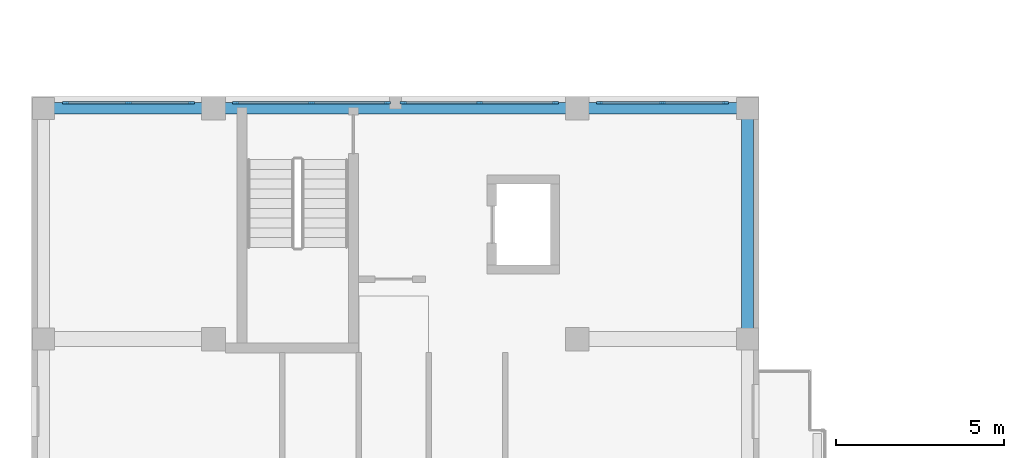
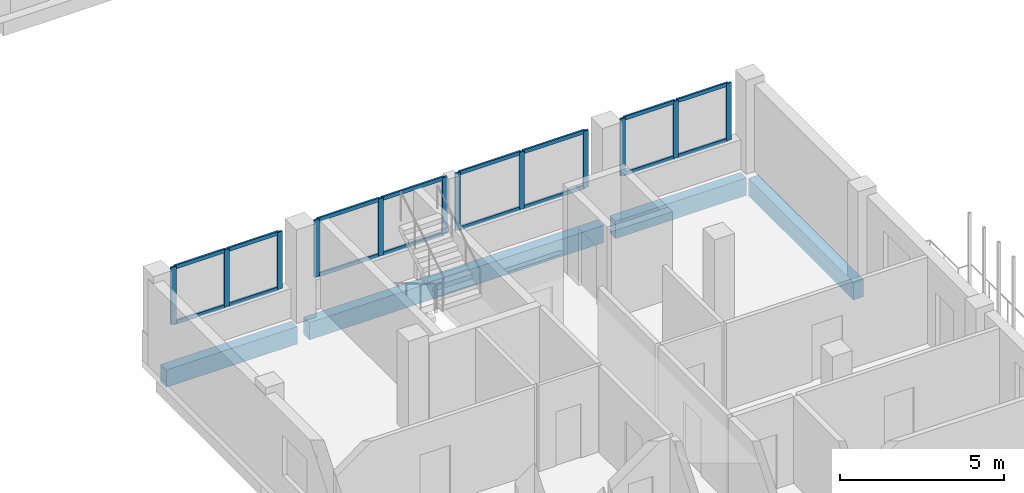
# One storey, part 11 of 73: 28 members, 4 beams, 4 elements without a shape of their own.
"""IFC4 building model written with IfcOpenShell, lengths in metres."""

from ifc_helpers import new_model, si_unit, derived_unit, direction, frame, origin, origin_2d, place, context, subcontext, project, spatial, rectangle, extrude, material, layer, layer_set, material_profile, profile_set, type_object, element, aggregate, save


model = new_model("IFC4")

# Units and contexts
model_context = context("Model", 3, precision=1e-05, world=origin(), true_north=direction((0.0, 1.0)))
body_context = subcontext(model_context, "Body", "Model", "MODEL_VIEW")
ifc_project = project(units=[si_unit("LENGTHUNIT", "METRE"), si_unit("AREAUNIT", "SQUARE_METRE"), si_unit("VOLUMEUNIT", "CUBIC_METRE"), si_unit("PLANEANGLEUNIT", "RADIAN"), si_unit("MASSUNIT", "GRAM", prefix="KILO"), derived_unit("THERMALTRANSMITTANCEUNIT", [(si_unit("MASSUNIT", "GRAM", prefix="KILO"), 1), (si_unit("TIMEUNIT", "SECOND"), -3), (si_unit("THERMODYNAMICTEMPERATUREUNIT", "KELVIN"), -1)])], contexts=[model_context])

# Site, building, storey
site_placement = place(None, origin())
site = spatial("IfcSite", under=ifc_project, at=site_placement, CompositionType="ELEMENT")
building_placement = place(site_placement, origin())
building = spatial("IfcBuilding", under=site, at=building_placement, Name="Ochrekiln Boulevard Commons", CompositionType="ELEMENT")
storey_placement = place(building_placement, frame((0.0, 0.0, 8.574951171875)))
storey = spatial("IfcBuildingStorey", under=building, at=storey_placement, Name="L02", CompositionType="ELEMENT", Elevation=8.574951171875)

# Curtain wall, members
ifc_material_1 = material(Name="Bronze-anodized extruded aluminium 6063-T6", Category="aluminium")
ifc_layer = layer(ifc_material_1, 0.172119140625)
ifc_layer_set = layer_set([ifc_layer], Name="Bronze-anodized extruded aluminium 6063-T6")
curtain_wall_type = type_object("IfcCurtainWallType", Name="CW-GABLE-A", PredefinedType="USERDEFINED", material=ifc_layer_set)
curtain_wall_1_placement = place(storey_placement, origin())
curtain_wall_1 = element("IfcCurtainWall", 1, at=curtain_wall_1_placement, inside=storey, type_object=curtain_wall_type, Name="Block D L02 Courtyard Glazed Gable Curtain Wall 1", ObjectType="GLAZED CURTAIN WALL", PredefinedType="USERDEFINED")
ifc_material_profile_1 = material_profile(ifc_material_1, rectangle(XDim=0.06494140625, YDim=0.179931640625, at=origin_2d()), Name="ALU-MUL-65x180")
ifc_profile_set_1 = profile_set([ifc_material_profile_1], Name="Bronze-anodized extruded aluminium 6063-T6")
member_type_1 = type_object("IfcMemberType", Name="CWM-65x180", PredefinedType="MULLION", material=ifc_profile_set_1)
member_1_placement = place(storey_placement, frame((1.00244140625, 50.217529296875, 1.110107421875), z_axis=(0.0, 0.0, 1.0), x_axis=(0.0, 1.0, 0.0)))
member_1 = element("IfcMember", 2, at=member_1_placement, type_object=member_type_1, Name="CW-01 mullion 1", PredefinedType="MULLION", context=body_context, shape_type="SweptSolid", body=[
    extrude(rectangle(XDim=0.06494140625, YDim=0.179931640625, at=origin_2d()), origin(), (0.0, 0.0, 1.0), 2.1298828125),
])
member_2_placement = place(storey_placement, frame((2.875, 50.217529296875, 1.110107421875), z_axis=(0.0, 0.0, 1.0), x_axis=(0.0, 1.0, 0.0)))
member_2 = element("IfcMember", 3, at=member_2_placement, type_object=member_type_1, Name="CW-01 mullion 2", PredefinedType="MULLION", context=body_context, shape_type="SweptSolid", body=[
    extrude(rectangle(XDim=0.06494140625, YDim=0.179931640625, at=origin_2d()), origin(), (0.0, 0.0, 1.0), 2.1298828125),
])
member_3_placement = place(storey_placement, frame((4.74755859375, 50.217529296875, 1.110107421875), z_axis=(0.0, 0.0, 1.0), x_axis=(0.0, 1.0, 0.0)))
member_3 = element("IfcMember", 4, at=member_3_placement, type_object=member_type_1, Name="CW-01 mullion 3", PredefinedType="MULLION", context=body_context, shape_type="SweptSolid", body=[
    extrude(rectangle(XDim=0.06494140625, YDim=0.179931640625, at=origin_2d()), origin(), (0.0, 0.0, 1.0), 2.1298828125),
])

curtain_wall_2_placement = place(storey_placement, origin())
curtain_wall_2 = element("IfcCurtainWall", 5, at=curtain_wall_2_placement, inside=storey, type_object=curtain_wall_type, Name="Block D L02 Courtyard Glazed Gable Curtain Wall 2", ObjectType="GLAZED CURTAIN WALL", PredefinedType="USERDEFINED")
member_4_placement = place(storey_placement, frame((6.052490234375, 50.217529296875, 1.110107421875), z_axis=(0.0, 0.0, 1.0), x_axis=(0.0, 1.0, 0.0)))
member_4 = element("IfcMember", 6, at=member_4_placement, type_object=member_type_1, Name="CW-01 mullion 1", PredefinedType="MULLION", context=body_context, shape_type="SweptSolid", body=[
    extrude(rectangle(XDim=0.06494140625, YDim=0.179931640625, at=origin_2d()), origin(), (0.0, 0.0, 1.0), 2.1298828125),
])
member_5_placement = place(storey_placement, frame((8.31005859375, 50.217529296875, 1.110107421875), z_axis=(0.0, 0.0, 1.0), x_axis=(0.0, 1.0, 0.0)))
member_5 = element("IfcMember", 7, at=member_5_placement, type_object=member_type_1, Name="CW-01 mullion 2", PredefinedType="MULLION", context=body_context, shape_type="SweptSolid", body=[
    extrude(rectangle(XDim=0.06494140625, YDim=0.179931640625, at=origin_2d()), origin(), (0.0, 0.0, 1.0), 2.1298828125),
])
member_6_placement = place(storey_placement, frame((10.5673828125, 50.217529296875, 1.110107421875), z_axis=(0.0, 0.0, 1.0), x_axis=(0.0, 1.0, 0.0)))
member_6 = element("IfcMember", 8, at=member_6_placement, type_object=member_type_1, Name="CW-01 mullion 3", PredefinedType="MULLION", context=body_context, shape_type="SweptSolid", body=[
    extrude(rectangle(XDim=0.06494140625, YDim=0.179931640625, at=origin_2d()), origin(), (0.0, 0.0, 1.0), 2.1298828125),
])

curtain_wall_3_placement = place(storey_placement, origin())
curtain_wall_3 = element("IfcCurtainWall", 9, at=curtain_wall_3_placement, inside=storey, type_object=curtain_wall_type, Name="Block D L02 Courtyard Glazed Gable Curtain Wall 3", ObjectType="GLAZED CURTAIN WALL", PredefinedType="USERDEFINED")
member_7_placement = place(storey_placement, frame((11.032470703125, 50.217529296875, 1.110107421875), z_axis=(0.0, 0.0, 1.0), x_axis=(0.0, 1.0, 0.0)))
member_7 = element("IfcMember", 10, at=member_7_placement, type_object=member_type_1, Name="CW-01 mullion 1", PredefinedType="MULLION", context=body_context, shape_type="SweptSolid", body=[
    extrude(rectangle(XDim=0.06494140625, YDim=0.179931640625, at=origin_2d()), origin(), (0.0, 0.0, 1.0), 2.1298828125),
])
member_8_placement = place(storey_placement, frame((13.2900390625, 50.217529296875, 1.110107421875), z_axis=(0.0, 0.0, 1.0), x_axis=(0.0, 1.0, 0.0)))
member_8 = element("IfcMember", 11, at=member_8_placement, type_object=member_type_1, Name="CW-01 mullion 2", PredefinedType="MULLION", context=body_context, shape_type="SweptSolid", body=[
    extrude(rectangle(XDim=0.06494140625, YDim=0.179931640625, at=origin_2d()), origin(), (0.0, 0.0, 1.0), 2.1298828125),
])
member_9_placement = place(storey_placement, frame((15.547607421875, 50.217529296875, 1.110107421875), z_axis=(0.0, 0.0, 1.0), x_axis=(0.0, 1.0, 0.0)))
member_9 = element("IfcMember", 12, at=member_9_placement, type_object=member_type_1, Name="CW-01 mullion 3", PredefinedType="MULLION", context=body_context, shape_type="SweptSolid", body=[
    extrude(rectangle(XDim=0.06494140625, YDim=0.179931640625, at=origin_2d()), origin(), (0.0, 0.0, 1.0), 2.1298828125),
])

curtain_wall_4_placement = place(storey_placement, origin())
curtain_wall_4 = element("IfcCurtainWall", 13, at=curtain_wall_4_placement, inside=storey, type_object=curtain_wall_type, Name="Block D L02 Courtyard Glazed Gable Curtain Wall 4", ObjectType="GLAZED CURTAIN WALL", PredefinedType="USERDEFINED")
member_10_placement = place(storey_placement, frame((16.8525390625, 50.217529296875, 1.110107421875), z_axis=(0.0, 0.0, 1.0), x_axis=(0.0, 1.0, 0.0)))
member_10 = element("IfcMember", 14, at=member_10_placement, type_object=member_type_1, Name="CW-01 mullion 1", PredefinedType="MULLION", context=body_context, shape_type="SweptSolid", body=[
    extrude(rectangle(XDim=0.06494140625, YDim=0.179931640625, at=origin_2d()), origin(), (0.0, 0.0, 1.0), 2.1298828125),
])
member_11_placement = place(storey_placement, frame((18.72509765625, 50.217529296875, 1.110107421875), z_axis=(0.0, 0.0, 1.0), x_axis=(0.0, 1.0, 0.0)))
member_11 = element("IfcMember", 15, at=member_11_placement, type_object=member_type_1, Name="CW-01 mullion 2", PredefinedType="MULLION", context=body_context, shape_type="SweptSolid", body=[
    extrude(rectangle(XDim=0.06494140625, YDim=0.179931640625, at=origin_2d()), origin(), (0.0, 0.0, 1.0), 2.1298828125),
])
member_12_placement = place(storey_placement, frame((20.597412109375, 50.217529296875, 1.110107421875), z_axis=(0.0, 0.0, 1.0), x_axis=(0.0, 1.0, 0.0)))
member_12 = element("IfcMember", 16, at=member_12_placement, type_object=member_type_1, Name="CW-01 mullion 3", PredefinedType="MULLION", context=body_context, shape_type="SweptSolid", body=[
    extrude(rectangle(XDim=0.06494140625, YDim=0.179931640625, at=origin_2d()), origin(), (0.0, 0.0, 1.0), 2.1298828125),
])

# Member
ifc_material_profile_2 = material_profile(ifc_material_1, rectangle(XDim=0.06494140625, YDim=0.139892578125, at=origin_2d()), Name="ALU-TRN-65x140")
ifc_profile_set_2 = profile_set([ifc_material_profile_2], Name="Bronze-anodized extruded aluminium 6063-T6")
member_type_2 = type_object("IfcMemberType", Name="CWT-65x140", PredefinedType="USERDEFINED", material=ifc_profile_set_2)
member_13_placement = place(storey_placement, frame((1.034912109375, 50.217529296875, 1.142578125), z_axis=(1.0, 0.0, 0.0), x_axis=(0.0, 1.0, 0.0)))
member_13 = element("IfcMember", 17, at=member_13_placement, type_object=member_type_2, Name="CW-01 transom 1.1", ObjectType="TRANSOM", PredefinedType="USERDEFINED", context=body_context, shape_type="SweptSolid", body=[
    extrude(rectangle(XDim=0.06494140625, YDim=0.139892578125, at=origin_2d()), origin(), (0.0, 0.0, 1.0), 1.8076171875),
])

member_14_placement = place(storey_placement, frame((1.034912109375, 50.217529296875, 3.20751953125), z_axis=(1.0, 0.0, 0.0), x_axis=(0.0, 1.0, 0.0)))
member_14 = element("IfcMember", 18, at=member_14_placement, type_object=member_type_2, Name="CW-01 transom 1.2", ObjectType="TRANSOM", PredefinedType="USERDEFINED", context=body_context, shape_type="SweptSolid", body=[
    extrude(rectangle(XDim=0.06494140625, YDim=0.139892578125, at=origin_2d()), origin(), (0.0, 0.0, 1.0), 1.8076171875),
])

member_15_placement = place(storey_placement, frame((2.907470703125, 50.217529296875, 1.142578125), z_axis=(1.0, 0.0, 0.0), x_axis=(0.0, 1.0, 0.0)))
member_15 = element("IfcMember", 19, at=member_15_placement, type_object=member_type_2, Name="CW-01 transom 2.1", ObjectType="TRANSOM", PredefinedType="USERDEFINED", context=body_context, shape_type="SweptSolid", body=[
    extrude(rectangle(XDim=0.06494140625, YDim=0.139892578125, at=origin_2d()), origin(), (0.0, 0.0, 1.0), 1.8076171875),
])

member_16_placement = place(storey_placement, frame((2.907470703125, 50.217529296875, 3.20751953125), z_axis=(1.0, 0.0, 0.0), x_axis=(0.0, 1.0, 0.0)))
member_16 = element("IfcMember", 20, at=member_16_placement, type_object=member_type_2, Name="CW-01 transom 2.2", ObjectType="TRANSOM", PredefinedType="USERDEFINED", context=body_context, shape_type="SweptSolid", body=[
    extrude(rectangle(XDim=0.06494140625, YDim=0.139892578125, at=origin_2d()), origin(), (0.0, 0.0, 1.0), 1.8076171875),
])

aggregate(curtain_wall_1, [member_1, member_2, member_3, member_13, member_14, member_15, member_16])

member_17_placement = place(storey_placement, frame((6.0849609375, 50.217529296875, 1.142578125), z_axis=(1.0, 0.0, 0.0), x_axis=(0.0, 1.0, 0.0)))
member_17 = element("IfcMember", 21, at=member_17_placement, type_object=member_type_2, Name="CW-01 transom 1.1", ObjectType="TRANSOM", PredefinedType="USERDEFINED", context=body_context, shape_type="SweptSolid", body=[
    extrude(rectangle(XDim=0.06494140625, YDim=0.139892578125, at=origin_2d()), origin(), (0.0, 0.0, 1.0), 2.192626953125),
])

member_18_placement = place(storey_placement, frame((6.0849609375, 50.217529296875, 3.20751953125), z_axis=(1.0, 0.0, 0.0), x_axis=(0.0, 1.0, 0.0)))
member_18 = element("IfcMember", 22, at=member_18_placement, type_object=member_type_2, Name="CW-01 transom 1.2", ObjectType="TRANSOM", PredefinedType="USERDEFINED", context=body_context, shape_type="SweptSolid", body=[
    extrude(rectangle(XDim=0.06494140625, YDim=0.139892578125, at=origin_2d()), origin(), (0.0, 0.0, 1.0), 2.192626953125),
])

member_19_placement = place(storey_placement, frame((8.342529296875, 50.217529296875, 1.142578125), z_axis=(1.0, 0.0, 0.0), x_axis=(0.0, 1.0, 0.0)))
member_19 = element("IfcMember", 23, at=member_19_placement, type_object=member_type_2, Name="CW-01 transom 2.1", ObjectType="TRANSOM", PredefinedType="USERDEFINED", context=body_context, shape_type="SweptSolid", body=[
    extrude(rectangle(XDim=0.06494140625, YDim=0.139892578125, at=origin_2d()), origin(), (0.0, 0.0, 1.0), 2.1923828125),
])

member_20_placement = place(storey_placement, frame((8.342529296875, 50.217529296875, 3.20751953125), z_axis=(1.0, 0.0, 0.0), x_axis=(0.0, 1.0, 0.0)))
member_20 = element("IfcMember", 24, at=member_20_placement, type_object=member_type_2, Name="CW-01 transom 2.2", ObjectType="TRANSOM", PredefinedType="USERDEFINED", context=body_context, shape_type="SweptSolid", body=[
    extrude(rectangle(XDim=0.06494140625, YDim=0.139892578125, at=origin_2d()), origin(), (0.0, 0.0, 1.0), 2.1923828125),
])

aggregate(curtain_wall_2, [member_4, member_5, member_6, member_17, member_18, member_19, member_20])

member_21_placement = place(storey_placement, frame((11.06494140625, 50.217529296875, 1.142578125), z_axis=(1.0, 0.0, 0.0), x_axis=(0.0, 1.0, 0.0)))
member_21 = element("IfcMember", 25, at=member_21_placement, type_object=member_type_2, Name="CW-01 transom 1.1", ObjectType="TRANSOM", PredefinedType="USERDEFINED", context=body_context, shape_type="SweptSolid", body=[
    extrude(rectangle(XDim=0.06494140625, YDim=0.139892578125, at=origin_2d()), origin(), (0.0, 0.0, 1.0), 2.192626953125),
])

member_22_placement = place(storey_placement, frame((11.06494140625, 50.217529296875, 3.20751953125), z_axis=(1.0, 0.0, 0.0), x_axis=(0.0, 1.0, 0.0)))
member_22 = element("IfcMember", 26, at=member_22_placement, type_object=member_type_2, Name="CW-01 transom 1.2", ObjectType="TRANSOM", PredefinedType="USERDEFINED", context=body_context, shape_type="SweptSolid", body=[
    extrude(rectangle(XDim=0.06494140625, YDim=0.139892578125, at=origin_2d()), origin(), (0.0, 0.0, 1.0), 2.192626953125),
])

member_23_placement = place(storey_placement, frame((13.322509765625, 50.217529296875, 1.142578125), z_axis=(1.0, 0.0, 0.0), x_axis=(0.0, 1.0, 0.0)))
member_23 = element("IfcMember", 27, at=member_23_placement, type_object=member_type_2, Name="CW-01 transom 2.1", ObjectType="TRANSOM", PredefinedType="USERDEFINED", context=body_context, shape_type="SweptSolid", body=[
    extrude(rectangle(XDim=0.06494140625, YDim=0.139892578125, at=origin_2d()), origin(), (0.0, 0.0, 1.0), 2.1923828125),
])

member_24_placement = place(storey_placement, frame((13.322509765625, 50.217529296875, 3.20751953125), z_axis=(1.0, 0.0, 0.0), x_axis=(0.0, 1.0, 0.0)))
member_24 = element("IfcMember", 28, at=member_24_placement, type_object=member_type_2, Name="CW-01 transom 2.2", ObjectType="TRANSOM", PredefinedType="USERDEFINED", context=body_context, shape_type="SweptSolid", body=[
    extrude(rectangle(XDim=0.06494140625, YDim=0.139892578125, at=origin_2d()), origin(), (0.0, 0.0, 1.0), 2.1923828125),
])

aggregate(curtain_wall_3, [member_7, member_8, member_9, member_21, member_22, member_23, member_24])

member_25_placement = place(storey_placement, frame((16.885009765625, 50.217529296875, 1.142578125), z_axis=(1.0, 0.0, 0.0), x_axis=(0.0, 1.0, 0.0)))
member_25 = element("IfcMember", 29, at=member_25_placement, type_object=member_type_2, Name="CW-01 transom 1.1", ObjectType="TRANSOM", PredefinedType="USERDEFINED", context=body_context, shape_type="SweptSolid", body=[
    extrude(rectangle(XDim=0.06494140625, YDim=0.139892578125, at=origin_2d()), origin(), (0.0, 0.0, 1.0), 1.807373046875),
])

member_26_placement = place(storey_placement, frame((16.885009765625, 50.217529296875, 3.20751953125), z_axis=(1.0, 0.0, 0.0), x_axis=(0.0, 1.0, 0.0)))
member_26 = element("IfcMember", 30, at=member_26_placement, type_object=member_type_2, Name="CW-01 transom 1.2", ObjectType="TRANSOM", PredefinedType="USERDEFINED", context=body_context, shape_type="SweptSolid", body=[
    extrude(rectangle(XDim=0.06494140625, YDim=0.139892578125, at=origin_2d()), origin(), (0.0, 0.0, 1.0), 1.807373046875),
])

member_27_placement = place(storey_placement, frame((18.757568359375, 50.217529296875, 1.142578125), z_axis=(1.0, 0.0, 0.0), x_axis=(0.0, 1.0, 0.0)))
member_27 = element("IfcMember", 31, at=member_27_placement, type_object=member_type_2, Name="CW-01 transom 2.1", ObjectType="TRANSOM", PredefinedType="USERDEFINED", context=body_context, shape_type="SweptSolid", body=[
    extrude(rectangle(XDim=0.06494140625, YDim=0.139892578125, at=origin_2d()), origin(), (0.0, 0.0, 1.0), 1.807373046875),
])

member_28_placement = place(storey_placement, frame((18.757568359375, 50.217529296875, 3.20751953125), z_axis=(1.0, 0.0, 0.0), x_axis=(0.0, 1.0, 0.0)))
member_28 = element("IfcMember", 32, at=member_28_placement, type_object=member_type_2, Name="CW-01 transom 2.2", ObjectType="TRANSOM", PredefinedType="USERDEFINED", context=body_context, shape_type="SweptSolid", body=[
    extrude(rectangle(XDim=0.06494140625, YDim=0.139892578125, at=origin_2d()), origin(), (0.0, 0.0, 1.0), 1.807373046875),
])

aggregate(curtain_wall_4, [member_10, member_11, member_12, member_25, member_26, member_27, member_28])

# Beams
ifc_material_2 = material(Name="Concrete C40/50", Category="concrete")
ifc_material_profile_3 = material_profile(ifc_material_2, rectangle(XDim=0.35009765625, YDim=0.64990234375, at=origin_2d()), Name="RC-SPN-350x650")
ifc_profile_set_3 = profile_set([ifc_material_profile_3], Name="Concrete C40/50")
beam_type = type_object("IfcBeamType", Name="SPN-RC-350x650", PredefinedType="SPANDREL", material=ifc_profile_set_3)
beam_1_placement = place(storey_placement, frame((0.56005859375, 50.050048828125, -0.5849609375), z_axis=(1.0, 0.0, 0.0), x_axis=(0.0, 1.0, 0.0)))
element("IfcBeam", 33, at=beam_1_placement, inside=storey, type_object=beam_type, Name="Block D L02 Beam SP-3565 X20", PredefinedType="SPANDREL", context=body_context, shape_type="SweptSolid", body=[
    extrude(rectangle(XDim=0.35009765625, YDim=0.64990234375, at=origin_2d()), origin(), (0.0, 0.0, 1.0), 4.6298828125),
])
beam_2_placement = place(storey_placement, frame((5.610107421875, 50.050048828125, -0.5849609375), z_axis=(1.0, 0.0, 0.0), x_axis=(0.0, 1.0, 0.0)))
element("IfcBeam", 34, at=beam_2_placement, inside=storey, type_object=beam_type, Name="Block D L02 Beam SP-3565 X21", PredefinedType="SPANDREL", context=body_context, shape_type="SweptSolid", body=[
    extrude(rectangle(XDim=0.35009765625, YDim=0.64990234375, at=origin_2d()), origin(), (0.0, 0.0, 1.0), 10.3798828125),
])
beam_3_placement = place(storey_placement, frame((16.409912109375, 50.050048828125, -0.5849609375), z_axis=(1.0, 0.0, 0.0), x_axis=(0.0, 1.0, 0.0)))
element("IfcBeam", 35, at=beam_3_placement, inside=storey, type_object=beam_type, Name="Block D L02 Beam SP-3565 X22", PredefinedType="SPANDREL", context=body_context, shape_type="SweptSolid", body=[
    extrude(rectangle(XDim=0.35009765625, YDim=0.64990234375, at=origin_2d()), origin(), (0.0, 0.0, 1.0), 4.630126953125),
])
beam_4_placement = place(storey_placement, frame((21.25, 43.409912109375, -0.5849609375), z_axis=(0.0, 1.0, 0.0), x_axis=(-1.0, 0.0, 0.0)))
element("IfcBeam", 36, at=beam_4_placement, inside=storey, type_object=beam_type, Name="Block D L02 Beam SP-3565 Y36", PredefinedType="SPANDREL", context=body_context, shape_type="SweptSolid", body=[
    extrude(rectangle(XDim=0.35009765625, YDim=0.64990234375, at=origin_2d()), origin(), (0.0, 0.0, 1.0), 6.43017578125),
])

save(model, "model.ifc")
